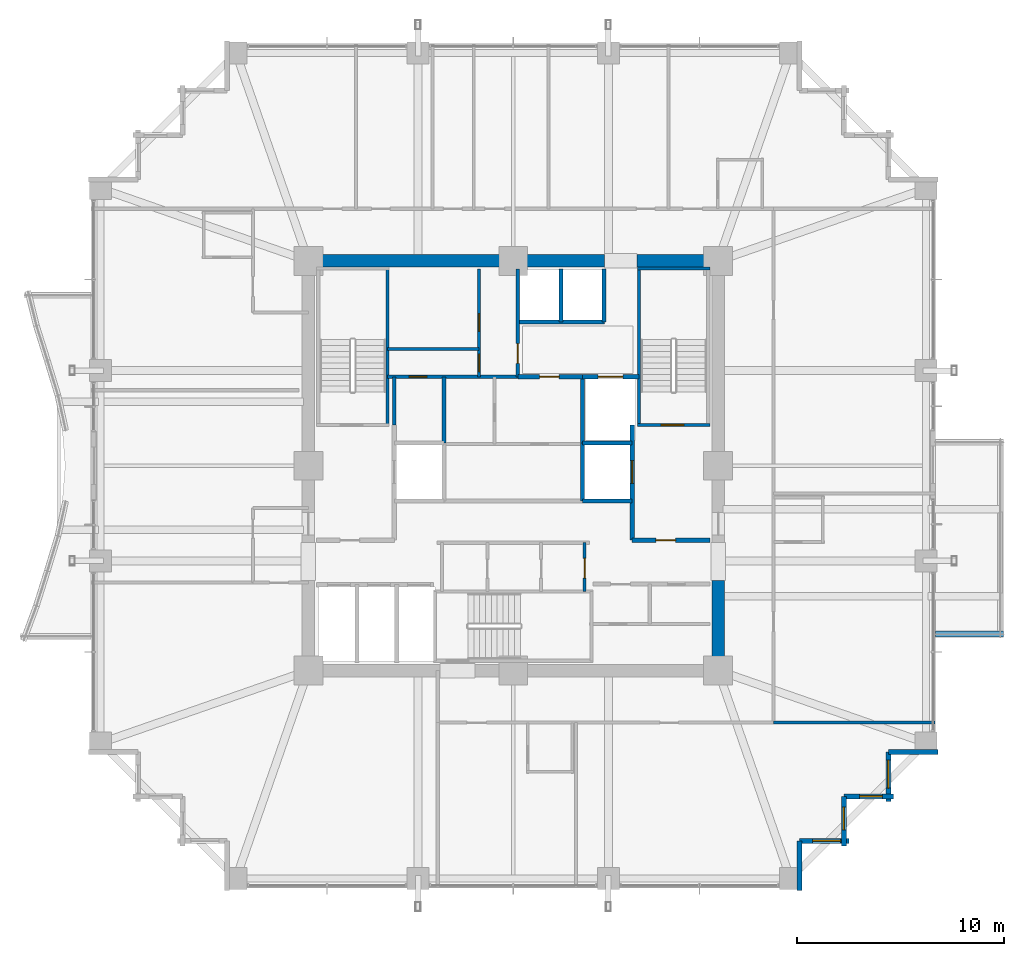
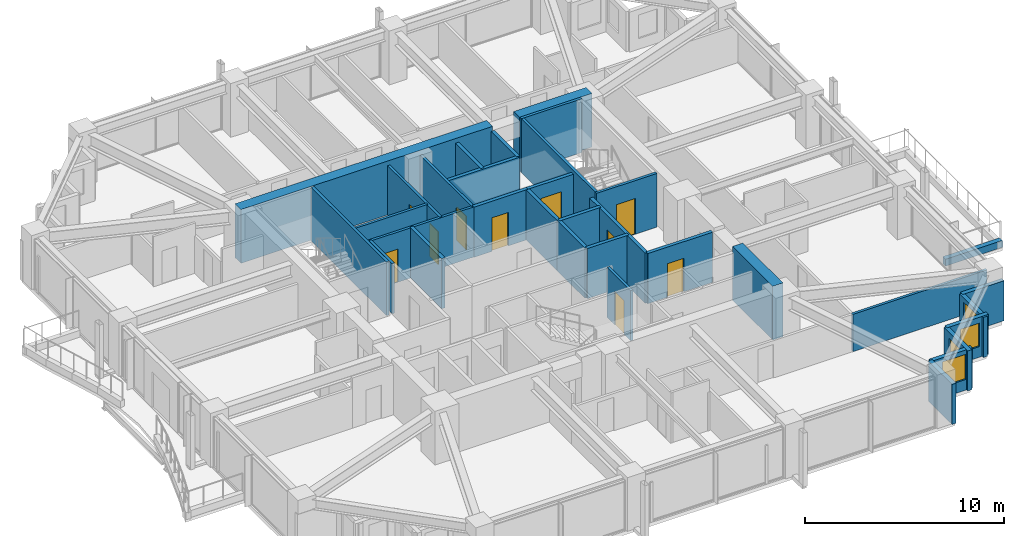
# One storey, part 33 of 37: 33 walls, 10 doors, 4 windows, 14 openings.
"""IFC4 building model written with IfcOpenShell, lengths in metres."""

from ifc_helpers import new_model, si_unit, direction, frame, frame_2d, origin, place, context, subcontext, project, spatial, rectangle, extrude, material, layer, layer_set, type_object, element, fill, save


model = new_model("IFC4")

# Units and contexts
model_context = context("Model", 3, precision=1e-05, world=origin(), true_north=direction((0.0, 1.0)))
body_context = subcontext(model_context, "Body", "Model", "MODEL_VIEW")
ifc_project = project(units=[si_unit("LENGTHUNIT", "METRE"), si_unit("AREAUNIT", "SQUARE_METRE"), si_unit("VOLUMEUNIT", "CUBIC_METRE"), si_unit("PLANEANGLEUNIT", "RADIAN"), si_unit("MASSUNIT", "GRAM", prefix="KILO")], contexts=[model_context])

# Site, building, storey
site_placement = place(None, origin())
site = spatial("IfcSite", under=ifc_project, at=site_placement, CompositionType="ELEMENT")
building_placement = place(site_placement, origin())
building = spatial("IfcBuilding", under=site, at=building_placement, Name="Kolvaren Belvedere", CompositionType="ELEMENT")
storey_placement = place(building_placement, frame((0.0, 0.0, 82.10009765625)))
storey = spatial("IfcBuildingStorey", under=building, at=storey_placement, Name="L23", CompositionType="ELEMENT", Elevation=82.10009765625)

# Walls
ifc_material_1 = material(Name="Concrete C60/75", Category="concrete")
ifc_layer_1 = layer(ifc_material_1, 0.60009765625)
ifc_layer_set_1 = layer_set([ifc_layer_1], Name="Concrete C60/75")
wall_type_1 = type_object("IfcWallType", Name="CW-CORE-600", PredefinedType="SHEAR", material=ifc_layer_set_1)
wall_1_placement = place(storey_placement, frame((-10.199951171875, 9.89990234375, 0.0), z_axis=(0.0, 0.0, 1.0), x_axis=(1.0, 0.0, 0.0)))
element("IfcWall", 1, at=wall_1_placement, inside=storey, type_object=wall_type_1, Name="L23 North Core Shear Wall 1", PredefinedType="SHEAR", context=body_context, shape_type="SweptSolid", body=[
    extrude(rectangle(XDim=14.619873046875, YDim=0.60009765625, at=frame_2d((7.31005859375, 0.0))), origin(), (0.0, 0.0, 1.0), 3.2998046875),
])
wall_2_placement = place(storey_placement, frame((5.97998046875, 9.89990234375, 0.0), z_axis=(0.0, 0.0, 1.0), x_axis=(1.0, 0.0, 0.0)))
element("IfcWall", 2, at=wall_2_placement, inside=storey, type_object=wall_type_1, Name="L23 North Core Shear Wall 2", PredefinedType="SHEAR", context=body_context, shape_type="SweptSolid", body=[
    extrude(rectangle(XDim=4.219970703125, YDim=0.60009765625, at=frame_2d((2.10986328125, 0.0))), origin(), (0.0, 0.0, 1.0), 3.2998046875),
])
wall_3_placement = place(storey_placement, frame((9.89990234375, -9.60009765625, 0.0), z_axis=(0.0, 0.0, 1.0), x_axis=(0.0, 1.0, 0.0)))
element("IfcWall", 3, at=wall_3_placement, inside=storey, type_object=wall_type_1, Name="L23 East Core Shear Wall 1", PredefinedType="SHEAR", context=body_context, shape_type="SweptSolid", body=[
    extrude(rectangle(XDim=4.050048828125, YDim=0.60009765625, at=frame_2d((2.02490234375, 0.0))), origin(), (0.0, 0.0, 1.0), 3.2998046875),
])
ifc_material_2 = material(Name="Concrete C50/60", Category="concrete")
ifc_layer_2 = layer(ifc_material_2, 0.159912109375)
ifc_layer_set_2 = layer_set([ifc_layer_2], Name="Concrete C50/60")
wall_type_2 = type_object("IfcWallType", Name="CW-STAIR-160", PredefinedType="SHEAR", material=ifc_layer_set_2)
wall_4_placement = place(storey_placement, frame((-6.080078125, 1.969970703125, 0.0), z_axis=(0.0, 0.0, 1.0), x_axis=(0.0, 1.0, 0.0)))
element("IfcWall", 4, at=wall_4_placement, inside=storey, type_object=wall_type_2, Name="L23 Stair ST-1 East Shear Wall", PredefinedType="SHEAR", context=body_context, shape_type="SweptSolid", body=[
    extrude(rectangle(XDim=7.56005859375, YDim=0.159912109375, at=frame_2d((3.780029296875, 0.0))), origin(), (0.0, 0.0, 1.0), 3.2998046875),
])

# Wall, opening, door
wall_5_placement = place(storey_placement, frame((6.0, 1.969970703125, 0.0), z_axis=(0.0, 0.0, 1.0), x_axis=(1.0, 0.0, 0.0)))
wall_5 = element("IfcWall", 5, at=wall_5_placement, inside=storey, type_object=wall_type_2, Name="L23 Stair ST-2 South Shear Wall", PredefinedType="SHEAR", context=body_context, shape_type="SweptSolid", body=[
    extrude(rectangle(XDim=3.52001953125, YDim=0.159912109375, at=frame_2d((1.760009765625, 0.0))), origin(), (0.0, 0.0, 1.0), 3.2998046875),
])
opening_1_placement = place(wall_5_placement, frame((1.14990234375, 0.0, 0.0)))
opening_1 = element("IfcOpeningElement", 6, at=opening_1_placement, cuts=wall_5, Name="Opening D-FD90", PredefinedType="OPENING", context=body_context, shape_type="SweptSolid", body=[
    extrude(rectangle(XDim=1.10009765625, YDim=2.199951171875, at=frame_2d((0.550048828125, 1.10009765625))), frame((0.0, 0.08984375, 0.0), z_axis=(0.0, -1.0, 0.0), x_axis=(1.0, 0.0, 0.0)), (0.0, 0.0, 1.0), 0.179931640625),
])
ifc_material_3 = material(Name="Painted hollow stainless steel", Category="steel")
door_type_1 = type_object("IfcDoorType", Name="DR-FD90-1100", OperationType="NOTDEFINED", PredefinedType="DOOR", material=ifc_material_3)
door_1_placement = place(opening_1_placement, origin())
door_1 = element("IfcDoor", 7, at=door_1_placement, inside=storey, type_object=door_type_1, Name="L23 Stair ST-2 Fire Door", OperationType="SINGLE_SWING_RIGHT", OverallHeight=2.199951171875, OverallWidth=1.10009765625, PredefinedType="DOOR", context=body_context, shape_type="SweptSolid", body=[
    extrude(rectangle(XDim=1.10009765625, YDim=2.199951171875, at=frame_2d((0.550048828125, 1.10009765625))), frame((0.0, 0.02490234375, 0.0), z_axis=(0.0, -1.0, 0.0), x_axis=(1.0, 0.0, 0.0)), (0.0, 0.0, 1.0), 0.050048828125),
])
fill(opening_1, door_1)

# Walls
wall_6_placement = place(storey_placement, frame((6.0, 9.530029296875, 0.0), z_axis=(0.0, 0.0, 1.0), x_axis=(1.0, 0.0, 0.0)))
element("IfcWall", 8, at=wall_6_placement, inside=storey, type_object=wall_type_2, Name="L23 Stair ST-2 North Shear Wall", PredefinedType="SHEAR", context=body_context, shape_type="SweptSolid", body=[
    extrude(rectangle(XDim=3.52001953125, YDim=0.159912109375, at=frame_2d((1.760009765625, 0.0))), origin(), (0.0, 0.0, 1.0), 3.2998046875),
])
wall_7_placement = place(storey_placement, frame((6.080078125, 1.969970703125, 0.0), z_axis=(0.0, 0.0, 1.0), x_axis=(0.0, 1.0, 0.0)))
element("IfcWall", 9, at=wall_7_placement, inside=storey, type_object=wall_type_2, Name="L23 Stair ST-2 West Shear Wall", PredefinedType="SHEAR", context=body_context, shape_type="SweptSolid", body=[
    extrude(rectangle(XDim=7.56005859375, YDim=0.159912109375, at=frame_2d((3.780029296875, 0.0))), origin(), (0.0, 0.0, 1.0), 3.2998046875),
])
ifc_material_4 = material(Name="Insulated pale-metal facade wall assembly", Category="aluminium")
ifc_layer_3 = layer(ifc_material_4, 0.239990234375)
ifc_layer_set_3 = layer_set([ifc_layer_3], Name="Insulated pale-metal facade wall assembly")
wall_type_3 = type_object("IfcWallType", Name="WL-EXT-240", PredefinedType="STANDARD", material=ifc_layer_set_3)
wall_8_placement = place(storey_placement, frame((13.830078125, -18.1298828125, 0.0), z_axis=(0.0, 0.0, 1.0), x_axis=(0.0, -1.0, 0.0)))
element("IfcWall", 10, at=wall_8_placement, inside=storey, type_object=wall_type_3, Name="L23 Serrated Corner Facade Wall 2", PredefinedType="STANDARD", context=body_context, shape_type="SweptSolid", body=[
    extrude(rectangle(XDim=2.39013671875, YDim=0.239990234375, at=frame_2d((1.195068359375, 0.0))), origin(), (0.0, 0.0, 1.0), 2.458984375),
])

# Wall, opening, window
wall_9_placement = place(storey_placement, frame((16.219970703125, -18.1298828125, 0.0), z_axis=(0.0, 0.0, 1.0), x_axis=(-1.0, 0.0, 0.0)))
wall_9 = element("IfcWall", 11, at=wall_9_placement, inside=storey, type_object=wall_type_3, Name="L23 Serrated Corner Facade Wall 3", PredefinedType="STANDARD", context=body_context, shape_type="SweptSolid", body=[
    extrude(rectangle(XDim=2.389892578125, YDim=0.239990234375, at=frame_2d((1.19482421875, 0.0))), origin(), (0.0, 0.0, 1.0), 2.458984375),
])
opening_2_placement = place(wall_9_placement, frame((0.39990234375, 0.0, 0.64990234375)))
opening_2 = element("IfcOpeningElement", 12, at=opening_2_placement, cuts=wall_9, Name="Opening W-1350", PredefinedType="OPENING", context=body_context, shape_type="SweptSolid", body=[
    extrude(rectangle(XDim=1.35009765625, YDim=1.550048828125, at=frame_2d((0.675048828125, 0.77490234375))), frame((0.0, 0.1298828125, 0.0), z_axis=(0.0, -1.0, 0.0), x_axis=(1.0, 0.0, 0.0)), (0.0, 0.0, 1.0), 0.260009765625),
])
ifc_material_5 = material(Name="Low-iron triple insulated glass", Category="glass")
window_type_1 = type_object("IfcWindowType", Name="WN-CORN-1350", PartitioningType="SINGLE_PANEL", PredefinedType="WINDOW", material=ifc_material_5)
window_1_placement = place(opening_2_placement, origin())
window_1 = element("IfcWindow", 13, at=window_1_placement, inside=storey, type_object=window_type_1, Name="L23 Serrated Corner Vision Window 3", OverallHeight=1.550048828125, OverallWidth=1.35009765625, PartitioningType="SINGLE_PANEL", PredefinedType="WINDOW", context=body_context, shape_type="SweptSolid", body=[
    extrude(rectangle(XDim=1.35009765625, YDim=1.550048828125, at=frame_2d((0.675048828125, 0.77490234375))), frame((0.0, 0.030029296875, 0.0), z_axis=(0.0, -1.0, 0.0), x_axis=(1.0, 0.0, 0.0)), (0.0, 0.0, 1.0), 0.06005859375),
])
fill(opening_2, window_1)

wall_10_placement = place(storey_placement, frame((15.97998046875, -15.97998046875, 0.0), z_axis=(0.0, 0.0, 1.0), x_axis=(0.0, -1.0, 0.0)))
wall_10 = element("IfcWall", 14, at=wall_10_placement, inside=storey, type_object=wall_type_3, Name="L23 Serrated Corner Facade Wall 4", PredefinedType="STANDARD", context=body_context, shape_type="SweptSolid", body=[
    extrude(rectangle(XDim=2.39013671875, YDim=0.239990234375, at=frame_2d((1.195068359375, 0.0))), origin(), (0.0, 0.0, 1.0), 2.458984375),
])
opening_3_placement = place(wall_10_placement, frame((0.52490234375, 0.0, 0.64990234375)))
opening_3 = element("IfcOpeningElement", 15, at=opening_3_placement, cuts=wall_10, Name="Opening W-1100", PredefinedType="OPENING", context=body_context, shape_type="SweptSolid", body=[
    extrude(rectangle(XDim=1.10009765625, YDim=1.449951171875, at=frame_2d((0.550048828125, 0.72509765625))), frame((0.0, 0.1298828125, 0.0), z_axis=(0.0, -1.0, 0.0), x_axis=(1.0, 0.0, 0.0)), (0.0, 0.0, 1.0), 0.260009765625),
])
ifc_material_6 = material(Name="Low-iron triple insulated glass", Category="glass")
window_type_2 = type_object("IfcWindowType", Name="WN-CORN-1100", PartitioningType="SINGLE_PANEL", PredefinedType="WINDOW", material=ifc_material_6)
window_2_placement = place(opening_3_placement, origin())
window_2 = element("IfcWindow", 16, at=window_2_placement, inside=storey, type_object=window_type_2, Name="L23 Serrated Corner Vision Window 4", OverallHeight=1.449951171875, OverallWidth=1.10009765625, PartitioningType="SINGLE_PANEL", PredefinedType="WINDOW", context=body_context, shape_type="SweptSolid", body=[
    extrude(rectangle(XDim=1.10009765625, YDim=1.449951171875, at=frame_2d((0.550048828125, 0.72509765625))), frame((0.0, 0.030029296875, 0.0), z_axis=(0.0, -1.0, 0.0), x_axis=(1.0, 0.0, 0.0)), (0.0, 0.0, 1.0), 0.06005859375),
])
fill(opening_3, window_2)

wall_11_placement = place(storey_placement, frame((18.3701171875, -15.97998046875, 0.0), z_axis=(0.0, 0.0, 1.0), x_axis=(-1.0, 0.0, 0.0)))
wall_11 = element("IfcWall", 17, at=wall_11_placement, inside=storey, type_object=wall_type_3, Name="L23 Serrated Corner Facade Wall 5", PredefinedType="STANDARD", context=body_context, shape_type="SweptSolid", body=[
    extrude(rectangle(XDim=2.39013671875, YDim=0.239990234375, at=frame_2d((1.195068359375, 0.0))), origin(), (0.0, 0.0, 1.0), 2.458984375),
])
opening_4_placement = place(wall_11_placement, frame((0.52490234375, 0.0, 0.64990234375)))
opening_4 = element("IfcOpeningElement", 18, at=opening_4_placement, cuts=wall_11, Name="Opening W-1100", PredefinedType="OPENING", context=body_context, shape_type="SweptSolid", body=[
    extrude(rectangle(XDim=1.10009765625, YDim=1.449951171875, at=frame_2d((0.550048828125, 0.72509765625))), frame((0.0, 0.1298828125, 0.0), z_axis=(0.0, -1.0, 0.0), x_axis=(1.0, 0.0, 0.0)), (0.0, 0.0, 1.0), 0.260009765625),
])
window_3_placement = place(opening_4_placement, origin())
window_3 = element("IfcWindow", 19, at=window_3_placement, inside=storey, type_object=window_type_2, Name="L23 Serrated Corner Vision Window 5", OverallHeight=1.449951171875, OverallWidth=1.10009765625, PartitioningType="SINGLE_PANEL", PredefinedType="WINDOW", context=body_context, shape_type="SweptSolid", body=[
    extrude(rectangle(XDim=1.10009765625, YDim=1.449951171875, at=frame_2d((0.550048828125, 0.72509765625))), frame((0.0, 0.030029296875, 0.0), z_axis=(0.0, -1.0, 0.0), x_axis=(1.0, 0.0, 0.0)), (0.0, 0.0, 1.0), 0.06005859375),
])
fill(opening_4, window_3)

wall_12_placement = place(storey_placement, frame((18.1298828125, -13.830078125, 0.0), z_axis=(0.0, 0.0, 1.0), x_axis=(0.0, -1.0, 0.0)))
wall_12 = element("IfcWall", 20, at=wall_12_placement, inside=storey, type_object=wall_type_3, Name="L23 Serrated Corner Facade Wall 6", PredefinedType="STANDARD", context=body_context, shape_type="SweptSolid", body=[
    extrude(rectangle(XDim=2.389892578125, YDim=0.239990234375, at=frame_2d((1.19482421875, 0.0))), origin(), (0.0, 0.0, 1.0), 2.458984375),
])
opening_5_placement = place(wall_12_placement, frame((0.39990234375, 0.0, 0.64990234375)))
opening_5 = element("IfcOpeningElement", 21, at=opening_5_placement, cuts=wall_12, Name="Opening W-1350", PredefinedType="OPENING", context=body_context, shape_type="SweptSolid", body=[
    extrude(rectangle(XDim=1.35009765625, YDim=1.550048828125, at=frame_2d((0.675048828125, 0.77490234375))), frame((0.0, 0.1298828125, 0.0), z_axis=(0.0, -1.0, 0.0), x_axis=(1.0, 0.0, 0.0)), (0.0, 0.0, 1.0), 0.260009765625),
])
window_4_placement = place(opening_5_placement, origin())
window_4 = element("IfcWindow", 22, at=window_4_placement, inside=storey, type_object=window_type_1, Name="L23 Serrated Corner Vision Window 6", OverallHeight=1.550048828125, OverallWidth=1.35009765625, PartitioningType="SINGLE_PANEL", PredefinedType="WINDOW", context=body_context, shape_type="SweptSolid", body=[
    extrude(rectangle(XDim=1.35009765625, YDim=1.550048828125, at=frame_2d((0.675048828125, 0.77490234375))), frame((0.0, 0.030029296875, 0.0), z_axis=(0.0, -1.0, 0.0), x_axis=(1.0, 0.0, 0.0)), (0.0, 0.0, 1.0), 0.06005859375),
])
fill(opening_5, window_4)

# Wall
wall_13_placement = place(storey_placement, frame((20.52001953125, -13.830078125, 0.0), z_axis=(0.0, 0.0, 1.0), x_axis=(-1.0, 0.0, 0.0)))
element("IfcWall", 23, at=wall_13_placement, inside=storey, type_object=wall_type_3, Name="L23 Serrated Corner Facade Wall 7", PredefinedType="STANDARD", context=body_context, shape_type="SweptSolid", body=[
    extrude(rectangle(XDim=2.39013671875, YDim=0.239990234375, at=frame_2d((1.195068359375, 0.0))), origin(), (0.0, 0.0, 1.0), 2.458984375),
])

# Wall, opening, door
ifc_material_7 = material(Name="Gypsum acoustic partition assembly", Category="gypsum")
ifc_layer_4 = layer(ifc_material_7, 0.14990234375)
ifc_layer_set_4 = layer_set([ifc_layer_4], Name="Gypsum acoustic partition assembly")
wall_type_4 = type_object("IfcWallType", Name="WL-PART-150", PredefinedType="PARTITIONING", material=ifc_layer_set_4)
wall_14_placement = place(storey_placement, frame((-6.080078125, 4.300048828125, 0.0), z_axis=(0.0, 0.0, 1.0), x_axis=(1.0, 0.0, 0.0)))
wall_14 = element("IfcWall", 24, at=wall_14_placement, inside=storey, type_object=wall_type_4, Name="L23 Reclaimed Salon South Wall", PredefinedType="PARTITIONING", context=body_context, shape_type="SweptSolid", body=[
    extrude(rectangle(XDim=6.300048828125, YDim=0.14990234375, at=frame_2d((3.14990234375, 0.0))), origin(), (0.0, 0.0, 1.0), 3.079833984375),
])
opening_6_placement = place(wall_14_placement, frame((1.050048828125, 0.0, 0.0)))
opening_6 = element("IfcOpeningElement", 25, at=opening_6_placement, cuts=wall_14, Name="Opening D-INT85", PredefinedType="OPENING", context=body_context, shape_type="SweptSolid", body=[
    extrude(rectangle(XDim=0.85009765625, YDim=2.030029296875, at=frame_2d((0.425048828125, 1.01513671875))), frame((0.0, 0.0849609375, 0.0), z_axis=(0.0, -1.0, 0.0), x_axis=(1.0, 0.0, 0.0)), (0.0, 0.0, 1.0), 0.169921875),
])
ifc_material_8 = material(Name="Stained Pacific white oak", Category="timber")
door_type_2 = type_object("IfcDoorType", Name="DR-INT-850", OperationType="NOTDEFINED", PredefinedType="DOOR", material=ifc_material_8)
door_2_placement = place(opening_6_placement, origin())
door_2 = element("IfcDoor", 26, at=door_2_placement, inside=storey, type_object=door_type_2, Name="L23 NW Core Store Door", OperationType="SINGLE_SWING_RIGHT", OverallHeight=2.030029296875, OverallWidth=0.85009765625, PredefinedType="DOOR", context=body_context, shape_type="SweptSolid", body=[
    extrude(rectangle(XDim=0.85009765625, YDim=2.030029296875, at=frame_2d((0.425048828125, 1.01513671875))), frame((0.0, 0.02490234375, 0.0), z_axis=(0.0, -1.0, 0.0), x_axis=(1.0, 0.0, 0.0)), (0.0, 0.0, 1.0), 0.050048828125),
])
fill(opening_6, door_2)

wall_15_placement = place(storey_placement, frame((0.219970703125, 4.300048828125, 0.0), z_axis=(0.0, 0.0, 1.0), x_axis=(0.0, 1.0, 0.0)))
wall_15 = element("IfcWall", 27, at=wall_15_placement, inside=storey, type_object=wall_type_4, Name="L23 Reclaimed Salon East Wall", PredefinedType="PARTITIONING", context=body_context, shape_type="SweptSolid", body=[
    extrude(rectangle(XDim=5.219970703125, YDim=0.14990234375, at=frame_2d((2.60986328125, 0.0))), origin(), (0.0, 0.0, 1.0), 3.079833984375),
])
opening_7_placement = place(wall_15_placement, frame((0.64990234375, 0.0, 0.0)))
opening_7 = element("IfcOpeningElement", 28, at=opening_7_placement, cuts=wall_15, Name="Opening D-INT95", PredefinedType="OPENING", context=body_context, shape_type="SweptSolid", body=[
    extrude(rectangle(XDim=0.949951171875, YDim=2.06005859375, at=frame_2d((0.47509765625, 1.030029296875))), frame((0.0, 0.0849609375, 0.0), z_axis=(0.0, -1.0, 0.0), x_axis=(1.0, 0.0, 0.0)), (0.0, 0.0, 1.0), 0.169921875),
])
ifc_material_9 = material(Name="Stained Pacific white oak", Category="timber")
door_type_3 = type_object("IfcDoorType", Name="DR-INT-950", OperationType="NOTDEFINED", PredefinedType="DOOR", material=ifc_material_9)
door_3_placement = place(opening_7_placement, origin())
door_3 = element("IfcDoor", 29, at=door_3_placement, inside=storey, type_object=door_type_3, Name="L23 Wellness Tearoom Door", OperationType="SINGLE_SWING_LEFT", OverallHeight=2.06005859375, OverallWidth=0.949951171875, PredefinedType="DOOR", context=body_context, shape_type="SweptSolid", body=[
    extrude(rectangle(XDim=0.949951171875, YDim=2.06005859375, at=frame_2d((0.47509765625, 1.030029296875))), frame((0.0, 0.02490234375, 0.0), z_axis=(0.0, -1.0, 0.0), x_axis=(1.0, 0.0, 0.0)), (0.0, 0.0, 1.0), 0.050048828125),
])
fill(opening_7, door_3)

# Wall, openings, doors
wall_16_placement = place(storey_placement, frame((-1.64990234375, 4.300048828125, 0.0), z_axis=(0.0, 0.0, 1.0), x_axis=(0.0, 1.0, 0.0)))
wall_16 = element("IfcWall", 30, at=wall_16_placement, inside=storey, type_object=wall_type_4, Name="L23 Reclaimed Tearoom V-Divider", PredefinedType="PARTITIONING", context=body_context, shape_type="SweptSolid", body=[
    extrude(rectangle(XDim=5.219970703125, YDim=0.14990234375, at=frame_2d((2.60986328125, 0.0))), origin(), (0.0, 0.0, 1.0), 3.079833984375),
])
opening_8_placement = place(wall_16_placement, frame((2.199951171875, 0.0, 0.0)))
opening_8 = element("IfcOpeningElement", 31, at=opening_8_placement, cuts=wall_16, Name="Opening D-INT85", PredefinedType="OPENING", context=body_context, shape_type="SweptSolid", body=[
    extrude(rectangle(XDim=0.85009765625, YDim=2.030029296875, at=frame_2d((0.425048828125, 1.01513671875))), frame((0.0, 0.0849609375, 0.0), z_axis=(0.0, -1.0, 0.0), x_axis=(1.0, 0.0, 0.0)), (0.0, 0.0, 1.0), 0.169921875),
])
opening_9_placement = place(wall_16_placement, frame((0.25, 0.0, 0.0)))
opening_9 = element("IfcOpeningElement", 32, at=opening_9_placement, cuts=wall_16, Name="Opening D-INT85", PredefinedType="OPENING", context=body_context, shape_type="SweptSolid", body=[
    extrude(rectangle(XDim=0.85009765625, YDim=2.030029296875, at=frame_2d((0.425048828125, 1.01513671875))), frame((0.0, 0.0849609375, 0.0), z_axis=(0.0, -1.0, 0.0), x_axis=(1.0, 0.0, 0.0)), (0.0, 0.0, 1.0), 0.169921875),
])
door_4_placement = place(opening_8_placement, origin())
door_4 = element("IfcDoor", 33, at=door_4_placement, inside=storey, type_object=door_type_2, Name="L23 Meditation Room Door", OperationType="SINGLE_SWING_RIGHT", OverallHeight=2.030029296875, OverallWidth=0.85009765625, PredefinedType="DOOR", context=body_context, shape_type="SweptSolid", body=[
    extrude(rectangle(XDim=0.85009765625, YDim=2.030029296875, at=frame_2d((0.425048828125, 1.01513671875))), frame((0.0, 0.02490234375, 0.0), z_axis=(0.0, -1.0, 0.0), x_axis=(1.0, 0.0, 0.0)), (0.0, 0.0, 1.0), 0.050048828125),
])
fill(opening_8, door_4)
door_5_placement = place(opening_9_placement, origin())
door_5 = element("IfcDoor", 34, at=door_5_placement, inside=storey, type_object=door_type_2, Name="L23 Herbal Closet Door", OperationType="SINGLE_SWING_RIGHT", OverallHeight=2.030029296875, OverallWidth=0.85009765625, PredefinedType="DOOR", context=body_context, shape_type="SweptSolid", body=[
    extrude(rectangle(XDim=0.85009765625, YDim=2.030029296875, at=frame_2d((0.425048828125, 1.01513671875))), frame((0.0, 0.02490234375, 0.0), z_axis=(0.0, -1.0, 0.0), x_axis=(1.0, 0.0, 0.0)), (0.0, 0.0, 1.0), 0.050048828125),
])
fill(opening_9, door_5)

# Wall
wall_17_placement = place(storey_placement, frame((-6.080078125, 5.64990234375, 0.0), z_axis=(0.0, 0.0, 1.0), x_axis=(1.0, 0.0, 0.0)))
element("IfcWall", 35, at=wall_17_placement, inside=storey, type_object=wall_type_4, Name="L23 Reclaimed Tearoom H-Divider", PredefinedType="PARTITIONING", context=body_context, shape_type="SweptSolid", body=[
    extrude(rectangle(XDim=4.43017578125, YDim=0.14990234375, at=frame_2d((2.215087890625, 0.0))), origin(), (0.0, 0.0, 1.0), 3.079833984375),
])

# Wall, opening, door
wall_18_placement = place(storey_placement, frame((3.449951171875, -6.080078125, 0.0), z_axis=(0.0, 0.0, 1.0), x_axis=(0.0, 1.0, 0.0)))
wall_18 = element("IfcWall", 36, at=wall_18_placement, inside=storey, type_object=wall_type_4, Name="L23 South Core Service East Wall", PredefinedType="PARTITIONING", context=body_context, shape_type="SweptSolid", body=[
    extrude(rectangle(XDim=2.360107421875, YDim=0.14990234375, at=frame_2d((1.18017578125, 0.0))), origin(), (0.0, 0.0, 1.0), 3.079833984375),
])
opening_10_placement = place(wall_18_placement, frame((0.64990234375, 0.0, 0.0)))
opening_10 = element("IfcOpeningElement", 37, at=opening_10_placement, cuts=wall_18, Name="Opening D-FD60", PredefinedType="OPENING", context=body_context, shape_type="SweptSolid", body=[
    extrude(rectangle(XDim=0.949951171875, YDim=2.06005859375, at=frame_2d((0.47509765625, 1.030029296875))), frame((0.0, 0.0849609375, 0.0), z_axis=(0.0, -1.0, 0.0), x_axis=(1.0, 0.0, 0.0)), (0.0, 0.0, 1.0), 0.169921875),
])
ifc_material_10 = material(Name="Acoustic white-oak fire door leaf", Category="timber")
door_type_4 = type_object("IfcDoorType", Name="DR-FD60-950", OperationType="NOTDEFINED", PredefinedType="DOOR", material=ifc_material_10)
door_6_placement = place(opening_10_placement, origin())
door_6 = element("IfcDoor", 38, at=door_6_placement, inside=storey, type_object=door_type_4, Name="L23 Core Service Room Door", OperationType="SINGLE_SWING_LEFT", OverallHeight=2.06005859375, OverallWidth=0.949951171875, PredefinedType="DOOR", context=body_context, shape_type="SweptSolid", body=[
    extrude(rectangle(XDim=0.949951171875, YDim=2.06005859375, at=frame_2d((0.47509765625, 1.030029296875))), frame((0.0, 0.02490234375, 0.0), z_axis=(0.0, -1.0, 0.0), x_axis=(1.0, 0.0, 0.0)), (0.0, 0.0, 1.0), 0.050048828125),
])
fill(opening_10, door_6)

# Walls
wall_19_placement = place(storey_placement, frame((-5.75, 1.969970703125, 0.0), z_axis=(0.0, 0.0, 1.0), x_axis=(0.0, 1.0, 0.0)))
element("IfcWall", 39, at=wall_19_placement, inside=storey, type_object=wall_type_4, Name="L23 NW Service Room West Wall", PredefinedType="PARTITIONING", context=body_context, shape_type="SweptSolid", body=[
    extrude(rectangle(XDim=2.330078125, YDim=0.14990234375, at=frame_2d((1.1650390625, 0.0))), origin(), (0.0, 0.0, 1.0), 3.079833984375),
])
wall_20_placement = place(storey_placement, frame((12.580078125, -12.419921875, 0.0), z_axis=(0.0, 0.0, 1.0), x_axis=(1.0, 0.0, 0.0)))
element("IfcWall", 40, at=wall_20_placement, inside=storey, type_object=wall_type_4, Name="L23 Wing Divider PW-L23-QSE", PredefinedType="PARTITIONING", context=body_context, shape_type="SweptSolid", body=[
    extrude(rectangle(XDim=7.7998046875, YDim=0.14990234375, at=frame_2d((3.89990234375, 0.0))), origin(), (0.0, 0.0, 1.0), 2.2919921875),
])
ifc_material_11 = material(Name="Precast concrete C40/50", Category="concrete")
ifc_layer_5 = layer(ifc_material_11, 0.300048828125)
ifc_layer_set_5 = layer_set([ifc_layer_5], Name="Precast concrete C40/50")
wall_type_5 = type_object("IfcWallType", Name="WL-PLANTER-300", PredefinedType="PARAPET", material=ifc_layer_set_5)
wall_21_placement = place(storey_placement, frame((20.39990234375, -8.139892578125, -0.0400390625), z_axis=(0.0, 0.0, 1.0), x_axis=(1.0, 0.0, 0.0)))
element("IfcWall", 41, at=wall_21_placement, inside=storey, type_object=wall_type_5, Name="L23 Precast Structural Planter Wall SPIRAL-03-E-1", PredefinedType="PARAPET", context=body_context, shape_type="SweptSolid", body=[
    extrude(rectangle(XDim=3.300048828125, YDim=0.280029296875, at=frame_2d((1.64990234375, 0.0))), origin(), (0.0, 0.0, 1.0), 0.419921875),
])

# Wall, opening, door
ifc_material_12 = material(Name="Concrete C50/60", Category="concrete")
ifc_layer_6 = layer(ifc_material_12, 0.199951171875)
ifc_layer_set_6 = layer_set([ifc_layer_6], Name="Concrete C50/60")
wall_type_6 = type_object("IfcWallType", Name="WL-SHAFT-200", PredefinedType="SOLIDWALL", material=ifc_layer_set_6)
wall_22_placement = place(storey_placement, frame((5.75, -3.60009765625, 0.0), z_axis=(0.0, 0.0, 1.0), x_axis=(1.0, 0.0, 0.0)))
wall_22 = element("IfcWall", 42, at=wall_22_placement, inside=storey, type_object=wall_type_6, Name="L23 East FSAE Lobby South Wall", PredefinedType="SOLIDWALL", context=body_context, shape_type="SweptSolid", body=[
    extrude(rectangle(XDim=3.77001953125, YDim=0.199951171875, at=frame_2d((1.885009765625, 0.0))), origin(), (0.0, 0.0, 1.0), 3.079833984375),
])
opening_11_placement = place(wall_22_placement, frame((1.14990234375, 0.0, 0.0)))
opening_11 = element("IfcOpeningElement", 43, at=opening_11_placement, cuts=wall_22, Name="Opening D-FD60", PredefinedType="OPENING", context=body_context, shape_type="SweptSolid", body=[
    extrude(rectangle(XDim=0.949951171875, YDim=2.06005859375, at=frame_2d((0.47509765625, 1.030029296875))), frame((0.0, 0.10986328125, 0.0), z_axis=(0.0, -1.0, 0.0), x_axis=(1.0, 0.0, 0.0)), (0.0, 0.0, 1.0), 0.219970703125),
])
door_7_placement = place(opening_11_placement, origin())
door_7 = element("IfcDoor", 44, at=door_7_placement, inside=storey, type_object=door_type_4, Name="L23 SE Lift Lobby Fire Door", OperationType="SINGLE_SWING_RIGHT", OverallHeight=2.06005859375, OverallWidth=0.949951171875, PredefinedType="DOOR", context=body_context, shape_type="SweptSolid", body=[
    extrude(rectangle(XDim=0.949951171875, YDim=2.06005859375, at=frame_2d((0.47509765625, 1.030029296875))), frame((0.0, 0.02490234375, 0.0), z_axis=(0.0, -1.0, 0.0), x_axis=(1.0, 0.0, 0.0)), (0.0, 0.0, 1.0), 0.050048828125),
])
fill(opening_11, door_7)

wall_23_placement = place(storey_placement, frame((5.75, -3.60009765625, 0.0), z_axis=(0.0, 0.0, 1.0), x_axis=(0.0, 1.0, 0.0)))
wall_23 = element("IfcWall", 45, at=wall_23_placement, inside=storey, type_object=wall_type_6, Name="L23 FSAE FS2 Landing Wall", PredefinedType="SOLIDWALL", context=body_context, shape_type="SweptSolid", body=[
    extrude(rectangle(XDim=5.570068359375, YDim=0.199951171875, at=frame_2d((2.78515625, 0.0))), origin(), (0.0, 0.0, 1.0), 3.079833984375),
])
opening_12_placement = place(wall_23_placement, frame((2.75, 0.0, 0.0)))
opening_12 = element("IfcOpeningElement", 46, at=opening_12_placement, cuts=wall_23, Name="Opening LD-11", PredefinedType="OPENING", context=body_context, shape_type="SweptSolid", body=[
    extrude(rectangle(XDim=1.10009765625, YDim=2.199951171875, at=frame_2d((0.550048828125, 1.10009765625))), frame((0.0, 0.10986328125, 0.0), z_axis=(0.0, -1.0, 0.0), x_axis=(1.0, 0.0, 0.0)), (0.0, 0.0, 1.0), 0.219970703125),
])
ifc_material_13 = material(Name="Brushed stainless steel", Category="steel")
door_type_5 = type_object("IfcDoorType", Name="DR-LIFT-1100", OperationType="DOUBLE_DOOR_SLIDING", PredefinedType="DOOR", material=ifc_material_13)
door_8_placement = place(opening_12_placement, origin())
door_8 = element("IfcDoor", 47, at=door_8_placement, inside=storey, type_object=door_type_5, Name="L23 Firefighting Lift FS2 Landing Door", OperationType="DOUBLE_DOOR_SLIDING", OverallHeight=2.199951171875, OverallWidth=1.10009765625, PredefinedType="DOOR", context=body_context, shape_type="SweptSolid", body=[
    extrude(rectangle(XDim=1.10009765625, YDim=2.199951171875, at=frame_2d((0.550048828125, 1.10009765625))), frame((0.0, 0.02490234375, 0.0), z_axis=(0.0, -1.0, 0.0), x_axis=(1.0, 0.0, 0.0)), (0.0, 0.0, 1.0), 0.050048828125),
])
fill(opening_12, door_8)

# Walls
wall_24_placement = place(storey_placement, frame((3.35009765625, -1.699951171875, 0.0), z_axis=(0.0, 0.0, 1.0), x_axis=(0.0, 1.0, 0.0)))
element("IfcWall", 48, at=wall_24_placement, inside=storey, type_object=wall_type_6, Name="L23 FSAE FS2 Back Wall", PredefinedType="SOLIDWALL", context=body_context, shape_type="SweptSolid", body=[
    extrude(rectangle(XDim=2.800048828125, YDim=0.199951171875, at=frame_2d((1.39990234375, 0.0))), origin(), (0.0, 0.0, 1.0), 3.079833984375),
])
for number, where, z_axis, x_axis, name in (
    (49, (3.35009765625, -1.699951171875, 0.0), (0.0, 0.0, 1.0), (1.0, 0.0, 0.0), "L23 FSAE FS2 South Wall"),
    (50, (3.35009765625, 1.10009765625, 0.0), (0.0, 0.0, 1.0), (1.0, 0.0, 0.0), "L23 FSAE FS2 North Wall"),
):
    element("IfcWall", number, at=place(storey_placement, frame(where, z_axis=z_axis, x_axis=x_axis)), inside=storey, type_object=wall_type_6, Name=name, PredefinedType="SOLIDWALL", context=body_context, shape_type="SweptSolid", body=[
        extrude(rectangle(XDim=2.39990234375, YDim=0.199951171875, at=frame_2d((1.199951171875, 0.0))), origin(), (0.0, 0.0, 1.0), 3.079833984375),
    ])

# Wall, opening, door
wall_25_placement = place(storey_placement, frame((3.35009765625, 4.300048828125, 0.0), z_axis=(0.0, 0.0, 1.0), x_axis=(1.0, 0.0, 0.0)))
wall_25 = element("IfcWall", 51, at=wall_25_placement, inside=storey, type_object=wall_type_6, Name="L23 Service Lift SV1 Front Wall", PredefinedType="SOLIDWALL", context=body_context, shape_type="SweptSolid", body=[
    extrude(rectangle(XDim=2.72998046875, YDim=0.199951171875, at=frame_2d((1.364990234375, 0.0))), origin(), (0.0, 0.0, 1.0), 3.079833984375),
])
opening_13_placement = place(wall_25_placement, frame((0.75, 0.0, 0.0)))
opening_13 = element("IfcOpeningElement", 52, at=opening_13_placement, cuts=wall_25, Name="Opening LD-12", PredefinedType="OPENING", context=body_context, shape_type="SweptSolid", body=[
    extrude(rectangle(XDim=1.199951171875, YDim=2.25, at=frame_2d((0.60009765625, 1.125))), frame((0.0, 0.10986328125, 0.0), z_axis=(0.0, -1.0, 0.0), x_axis=(1.0, 0.0, 0.0)), (0.0, 0.0, 1.0), 0.219970703125),
])
ifc_material_14 = material(Name="Brushed stainless steel", Category="steel")
door_type_6 = type_object("IfcDoorType", Name="DR-LIFT-1200", OperationType="DOUBLE_DOOR_SLIDING", PredefinedType="DOOR", material=ifc_material_14)
door_9_placement = place(opening_13_placement, origin())
door_9 = element("IfcDoor", 53, at=door_9_placement, inside=storey, type_object=door_type_6, Name="L23 Service Lift SV1 Landing Door", OperationType="DOUBLE_DOOR_SLIDING", OverallHeight=2.25, OverallWidth=1.199951171875, PredefinedType="DOOR", context=body_context, shape_type="SweptSolid", body=[
    extrude(rectangle(XDim=1.199951171875, YDim=2.25, at=frame_2d((0.60009765625, 1.125))), frame((0.0, 0.02490234375, 0.0), z_axis=(0.0, -1.0, 0.0), x_axis=(1.0, 0.0, 0.0)), (0.0, 0.0, 1.0), 0.050048828125),
])
fill(opening_13, door_9)

# Walls
wall_26_placement = place(storey_placement, frame((0.219970703125, 6.949951171875, 0.0), z_axis=(0.0, 0.0, 1.0), x_axis=(1.0, 0.0, 0.0)))
element("IfcWall", 54, at=wall_26_placement, inside=storey, type_object=wall_type_6, Name="L23 Express Shuttle Hoistway Wall", PredefinedType="SOLIDWALL", context=body_context, shape_type="SweptSolid", body=[
    extrude(rectangle(XDim=4.179931640625, YDim=0.199951171875, at=frame_2d((2.08984375, 0.0))), origin(), (0.0, 0.0, 1.0), 3.079833984375),
])
for number, where, z_axis, x_axis, name in (
    (55, (4.3798828125, 6.949951171875, 0.0), (0.0, 0.0, 1.0), (0.0, 1.0, 0.0), "L23 Express Shuttle East Wall"),
    (56, (2.31005859375, 6.949951171875, 0.0), (0.0, 0.0, 1.0), (0.0, 1.0, 0.0), "L23 Express Shuttle Divider"),
):
    element("IfcWall", number, at=place(storey_placement, frame(where, z_axis=z_axis, x_axis=x_axis)), inside=storey, type_object=wall_type_6, Name=name, PredefinedType="SOLIDWALL", context=body_context, shape_type="SweptSolid", body=[
        extrude(rectangle(XDim=2.570068359375, YDim=0.199951171875, at=frame_2d((1.28515625, 0.0))), origin(), (0.0, 0.0, 1.0), 3.079833984375),
    ])

# Wall, opening, door
wall_27_placement = place(storey_placement, frame((0.219970703125, 4.300048828125, 0.0), z_axis=(0.0, 0.0, 1.0), x_axis=(1.0, 0.0, 0.0)))
wall_27 = element("IfcWall", 57, at=wall_27_placement, inside=storey, type_object=wall_type_6, Name="L23 Central Core Room North Wall", PredefinedType="SOLIDWALL", context=body_context, shape_type="SweptSolid", body=[
    extrude(rectangle(XDim=3.130126953125, YDim=0.199951171875, at=frame_2d((1.56494140625, 0.0))), origin(), (0.0, 0.0, 1.0), 3.079833984375),
])
opening_14_placement = place(wall_27_placement, frame((1.050048828125, 0.0, 0.0)))
opening_14 = element("IfcOpeningElement", 58, at=opening_14_placement, cuts=wall_27, Name="Opening D-FD60", PredefinedType="OPENING", context=body_context, shape_type="SweptSolid", body=[
    extrude(rectangle(XDim=0.949951171875, YDim=2.06005859375, at=frame_2d((0.47509765625, 1.030029296875))), frame((0.0, 0.10986328125, 0.0), z_axis=(0.0, -1.0, 0.0), x_axis=(1.0, 0.0, 0.0)), (0.0, 0.0, 1.0), 0.219970703125),
])
door_10_placement = place(opening_14_placement, origin())
door_10 = element("IfcDoor", 59, at=door_10_placement, inside=storey, type_object=door_type_4, Name="L23 Central Core Controls Door", OperationType="SINGLE_SWING_LEFT", OverallHeight=2.06005859375, OverallWidth=0.949951171875, PredefinedType="DOOR", context=body_context, shape_type="SweptSolid", body=[
    extrude(rectangle(XDim=0.949951171875, YDim=2.06005859375, at=frame_2d((0.47509765625, 1.030029296875))), frame((0.0, 0.02490234375, 0.0), z_axis=(0.0, -1.0, 0.0), x_axis=(1.0, 0.0, 0.0)), (0.0, 0.0, 1.0), 0.050048828125),
])
fill(opening_14, door_10)

# Walls
for number, where, z_axis, x_axis, name in (
    (60, (-3.35009765625, 1.10009765625, 0.0), (0.0, 0.0, 1.0), (0.0, 1.0, 0.0), "L23 Central Core Room West Wall"),
    (61, (3.35009765625, 1.10009765625, 0.0), (0.0, 0.0, 1.0), (0.0, 1.0, 0.0), "L23 Central Core Room East Wall"),
):
    element("IfcWall", number, at=place(storey_placement, frame(where, z_axis=z_axis, x_axis=x_axis)), inside=storey, type_object=wall_type_6, Name=name, PredefinedType="SOLIDWALL", context=body_context, shape_type="SweptSolid", body=[
        extrude(rectangle(XDim=3.199951171875, YDim=0.199951171875, at=frame_2d((1.60009765625, 0.0))), origin(), (0.0, 0.0, 1.0), 3.079833984375),
    ])

save(model, "model.ifc")
